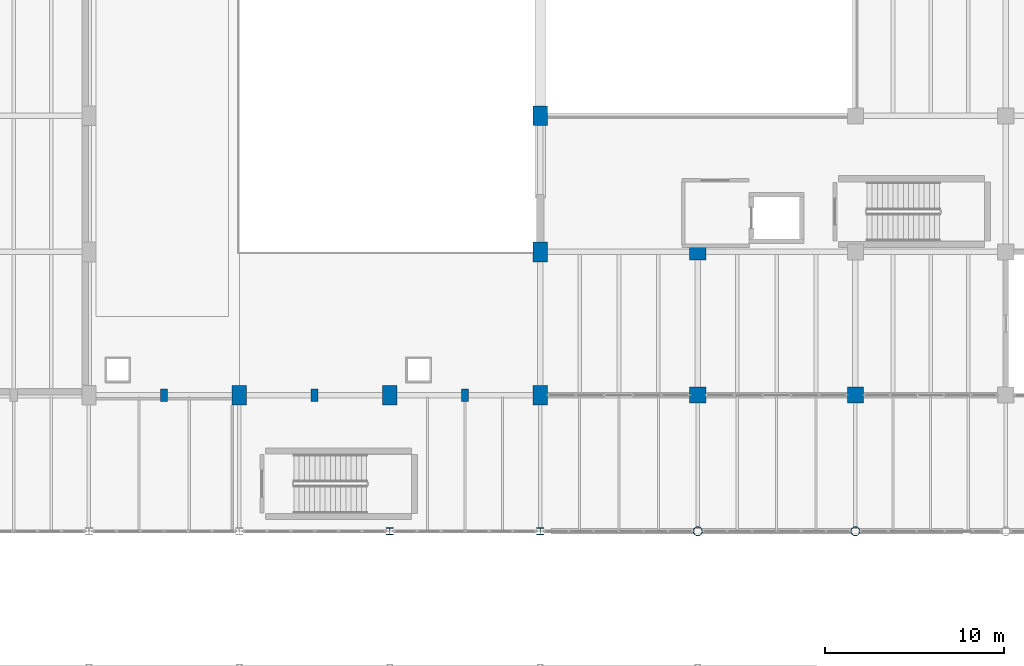
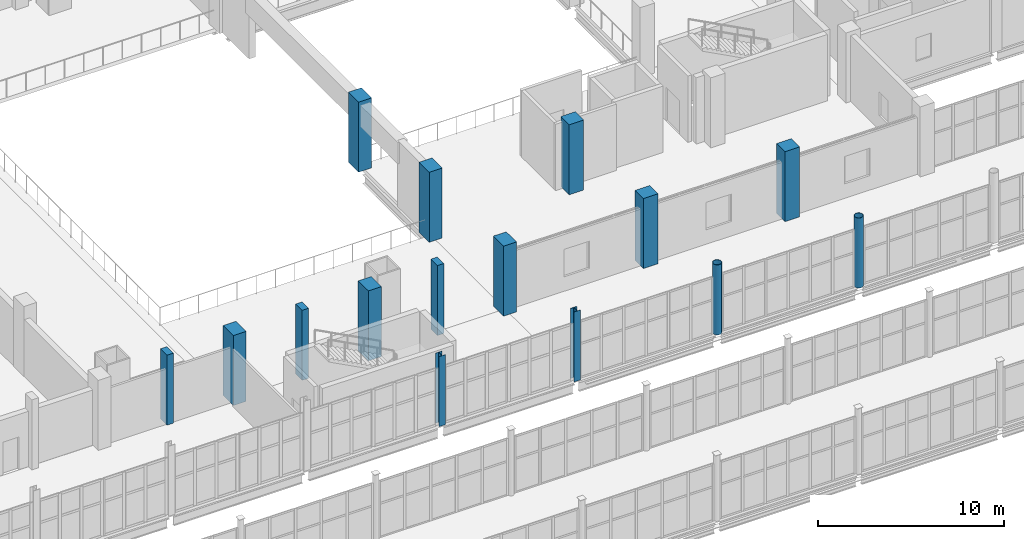
# One storey, part 9 of 172: 15 columns.
"""IFC4 building model written with IfcOpenShell, lengths in metres."""

import ifcopenshell
import ifcopenshell.guid

model = None  # the IFC model being written
_history = None  # IfcOwnerHistory: only IFC2X3 demands one
_inside = {}  # id of a spatial element -> (the spatial element, [elements in it])
_under = {}  # id of a project, library or spatial element -> (it, [spatial elements below it])
_declared = {}  # id of a project -> (the project, [libraries it declares])
_typed = {}  # id of a type object -> (the type object, [elements of that type])
_made_of = {}  # id of a material, layer set ... -> (it, [elements and type objects made of it])


def new_model(schema):
    """Start an empty IFC model of exactly this schema.

    Asked for "IFC4X3", IfcOpenShell would pick the latest addendum, in which some entities
    have other attributes; the version numbers below select the first issue.
    IFC2X3 requires an IfcOwnerHistory on every rooted entity: one is made here for all.
    """
    global model, _history
    if schema == "IFC4X3":
        model = ifcopenshell.file(schema_version=(4, 3, 0, 0))
    else:
        model = ifcopenshell.file(schema=schema)
    _inside.clear()
    _under.clear()
    _declared.clear()
    _typed.clear()
    _made_of.clear()
    _history = None
    if model.schema == "IFC2X3":
        org = make("IfcOrganization", Name="unknown")
        user = make(
            "IfcPersonAndOrganization",
            ThePerson=make("IfcPerson", FamilyName="unknown"),
            TheOrganization=org,
        )
        app = make(
            "IfcApplication",
            ApplicationDeveloper=org,
            Version="unknown",
            ApplicationFullName="unknown",
            ApplicationIdentifier="unknown",
        )
        _history = make(
            "IfcOwnerHistory",
            OwningUser=user,
            OwningApplication=app,
            ChangeAction="ADDED",
            CreationDate=0,
        )
    return model


def make(cls, **values):
    """One entity of the class cls with the attributes given. An attribute that is None is left unset."""
    return model.create_entity(
        cls, **{name: value for name, value in values.items() if value is not None}
    )


def rooted(cls, **values):
    """An entity with a GlobalId (a new one), such as an element, a storey or a relation."""
    return make(cls, GlobalId=ifcopenshell.guid.new(), OwnerHistory=_history, **values)


def si_unit(unit_type, name, prefix=None):
    """IfcSIUnit, for example si_unit("LENGTHUNIT", "METRE", prefix="MILLI")."""
    return make("IfcSIUnit", UnitType=unit_type, Prefix=prefix, Name=name)


def assignment(units):
    """IfcUnitAssignment: the units of a project."""
    return None if units is None else make("IfcUnitAssignment", Units=units)


def point(xyz):
    """IfcCartesianPoint."""
    return None if xyz is None else make("IfcCartesianPoint", Coordinates=xyz)


def direction(xyz):
    """IfcDirection."""
    return None if xyz is None else make("IfcDirection", DirectionRatios=xyz)


def frame(location, z_axis=None, x_axis=None):
    """IfcAxis2Placement3D, a coordinate frame: its origin and axes. An axis left out is left unset."""
    return make(
        "IfcAxis2Placement3D",
        Location=point(location),
        Axis=direction(z_axis),
        RefDirection=direction(x_axis),
    )


def frame_2d(location, x_axis=None):
    """IfcAxis2Placement2D, a coordinate frame in the plane: its origin and x axis."""
    return make(
        "IfcAxis2Placement2D", Location=point(location), RefDirection=direction(x_axis)
    )


def origin():
    """The frame at (0, 0, 0) with its axes left unset."""
    return frame((0.0, 0.0, 0.0))


def origin_2d():
    """The frame at (0, 0) in the plane with its x axis left unset."""
    return frame_2d((0.0, 0.0))


def place(relative_to, where):
    """IfcLocalPlacement: puts the frame where relative to a parent placement (None: the world)."""
    return make(
        "IfcLocalPlacement", PlacementRelTo=relative_to, RelativePlacement=where
    )


def context(
    kind, dimensions, precision=None, world=None, true_north=None, identifier=None
):
    """IfcGeometricRepresentationContext, for example the 3D "Model" context."""
    return make(
        "IfcGeometricRepresentationContext",
        ContextIdentifier=identifier,
        ContextType=kind,
        CoordinateSpaceDimension=dimensions,
        Precision=precision,
        WorldCoordinateSystem=world,
        TrueNorth=true_north,
    )


def subcontext(parent, identifier, kind, view, scale=None):
    """IfcGeometricRepresentationSubContext, for example "Body" below "Model"."""
    return make(
        "IfcGeometricRepresentationSubContext",
        ContextIdentifier=identifier,
        ContextType=kind,
        ParentContext=parent,
        TargetScale=scale,
        TargetView=view,
    )


def project(units=None, contexts=None):
    """IfcProject with its units and contexts."""
    return rooted(
        "IfcProject",
        Name="project",
        RepresentationContexts=contexts,
        UnitsInContext=assignment(units),
    )


def spatial(cls, under=None, at=None, **own):
    """A site, building, storey or space (cls), placed at a placement, below another one or the project."""
    s = rooted(cls, ObjectPlacement=at, **own)
    if under is not None:
        _under.setdefault(under.id(), (under, []))[1].append(s)
    return s


def profile(cls, at=None, kind="AREA", **sizes):
    """A parametric profile (cls). Its sizes go by their IFC names, for example OverallWidth=200.0."""
    return make(cls, ProfileType=kind, Position=at, **sizes)


def rectangle(**sizes):
    """IfcRectangleProfileDef."""
    return profile("IfcRectangleProfileDef", **sizes)


def hollow_circle(**sizes):
    """IfcCircleHollowProfileDef."""
    return profile("IfcCircleHollowProfileDef", **sizes)


def i_section(**sizes):
    """IfcIShapeProfileDef."""
    return profile("IfcIShapeProfileDef", **sizes)


def extrude(swept, where, along, depth):
    """IfcExtrudedAreaSolid: the profile swept, set in the frame where, extruded along a direction by depth."""
    return make(
        "IfcExtrudedAreaSolid",
        SweptArea=swept,
        Position=where,
        ExtrudedDirection=direction(along),
        Depth=depth,
    )


def shape(context_of_items, identifier, shape_type, items):
    """IfcShapeRepresentation: the items that make up one representation, for example the "Body"."""
    return make(
        "IfcShapeRepresentation",
        ContextOfItems=context_of_items,
        RepresentationIdentifier=identifier,
        RepresentationType=shape_type,
        Items=items,
    )


def material(Name=None, Category=None):
    """IfcMaterial."""
    return make("IfcMaterial", Name=Name, Category=Category)


def material_profile(
    of_material, cross_section, Name=None, Category=None, Priority=None
):
    """IfcMaterialProfile: a cross section and its material."""
    return make(
        "IfcMaterialProfile",
        Name=Name,
        Material=of_material,
        Profile=cross_section,
        Priority=Priority,
        Category=Category,
    )


def profile_set(profiles, Name=None, composite=None):
    """IfcMaterialProfileSet."""
    return make(
        "IfcMaterialProfileSet",
        Name=Name,
        MaterialProfiles=profiles,
        CompositeProfile=composite,
    )


def made_of(thing, what):
    """Note that an element or type object is made of a material, layer set ...; save() writes the relation."""
    if what is not None:
        _made_of.setdefault(what.id(), (what, []))[1].append(thing)
    return thing


def type_object(cls, material=None, **own):
    """A type object (cls), such as IfcWallType, which elements share."""
    return made_of(rooted(cls, **own), material)


def element(
    cls,
    number,
    at=None,
    inside=None,
    cuts=None,
    type_object=None,
    material=None,
    context=None,
    identifier="Body",
    shape_type=None,
    held_by="IfcProductDefinitionShape",
    body=None,
    shapes=None,
    **own,
):
    """One element of the class cls, such as IfcWall. Its Tag is "e" and its number.

    at: its placement. inside: the storey or other place that contains it. cuts: it is an
    opening in that element (IfcRelVoidsElement). A single representation is given by context,
    identifier, shape_type and body (its items); several are given by shapes. held_by: the class
    of the entity that holds the representations. save() writes the other relations.
    """
    e = rooted(cls, Tag="e%d" % number, ObjectPlacement=at, **own)
    if body is not None:
        shapes = [shape(context, identifier, shape_type, body)]
    if shapes is not None:
        e.Representation = make(held_by, Representations=shapes)
    if inside is not None:
        _inside.setdefault(inside.id(), (inside, []))[1].append(e)
    if cuts is not None:
        rooted(
            "IfcRelVoidsElement", RelatingBuildingElement=cuts, RelatedOpeningElement=e
        )
    if type_object is not None:
        _typed.setdefault(type_object.id(), (type_object, []))[1].append(e)
    return made_of(e, material)


def aggregate(whole, parts):
    """IfcRelAggregates: a whole, such as a stair, and the parts it consists of."""
    return rooted("IfcRelAggregates", RelatingObject=whole, RelatedObjects=parts)


def save(model, path):
    """Write the relations noted so far, then the file.

    IfcRelAggregates (storeys below a building ...), IfcRelContainedInSpatialStructure (elements
    in a storey), IfcRelDefinesByType, IfcRelAssociatesMaterial and IfcRelDeclares: one each for
    every whole, place, type object, material and project.
    """
    for whole, parts in _under.values():
        aggregate(whole, parts)
    for where, things in _inside.values():
        rooted(
            "IfcRelContainedInSpatialStructure",
            RelatedElements=things,
            RelatingStructure=where,
        )
    for kind, things in _typed.values():
        rooted("IfcRelDefinesByType", RelatedObjects=things, RelatingType=kind)
    for what, things in _made_of.values():
        rooted("IfcRelAssociatesMaterial", RelatedObjects=things, RelatingMaterial=what)
    for by, libraries in _declared.values():
        rooted("IfcRelDeclares", RelatingContext=by, RelatedDefinitions=libraries)
    model.write(path)


model = new_model("IFC4")

# Units and contexts
model_context = context("Model", 3, precision=1e-05, world=origin(), true_north=direction((0.0, 1.0)))
body_context = subcontext(model_context, "Body", "Model", "MODEL_VIEW")
ifc_project = project(units=[si_unit("LENGTHUNIT", "METRE"), si_unit("AREAUNIT", "SQUARE_METRE"), si_unit("VOLUMEUNIT", "CUBIC_METRE"), si_unit("PLANEANGLEUNIT", "RADIAN"), si_unit("MASSUNIT", "GRAM", prefix="KILO")], contexts=[model_context])

# Site, building, storey
site_placement = place(None, origin())
site = spatial("IfcSite", under=ifc_project, at=site_placement, CompositionType="ELEMENT")
building_placement = place(site_placement, origin())
building = spatial("IfcBuilding", under=site, at=building_placement, Name="Shengluoqiao Park Theatre", CompositionType="ELEMENT")
storey_placement = place(building_placement, frame((0.0, 0.0, 5.39990234375)))
storey = spatial("IfcBuildingStorey", under=building, at=storey_placement, Name="L01", CompositionType="ELEMENT", Elevation=5.39990234375)

# Columns
ifc_material_1 = material(Name="Steel Q390", Category="steel")
ifc_material_profile_1 = material_profile(ifc_material_1, hollow_circle(Radius=0.25390625, WallThickness=0.02001953125, at=origin_2d()), Name="CHS 508x20")
ifc_profile_set_1 = profile_set([ifc_material_profile_1], Name="Steel Q390")
column_type_1 = type_object("IfcColumnType", Name="STR-COL-C-CHS508", PredefinedType="COLUMN", material=ifc_profile_set_1)
for number, where, z_axis, x_axis, name in (
    (1, (95.199951171875, 68.39990234375, 0.0), (0.0, 0.0, 1.0), (1.0, 0.0, 0.0), "L01 Column 0462"),
    (2, (104.0, 68.39990234375, 0.0), (0.0, 0.0, 1.0), (1.0, 0.0, 0.0), "L01 Column 0496"),
):
    element("IfcColumn", number, at=place(storey_placement, frame(where, z_axis=z_axis, x_axis=x_axis)), inside=storey, type_object=column_type_1, Name=name, PredefinedType="COLUMN", context=body_context, shape_type="SweptSolid", body=[
        extrude(hollow_circle(Radius=0.25390625, WallThickness=0.02001953125, at=origin_2d()), origin(), (0.0, 0.0, 1.0), 4.60009765625),
    ])
ifc_material_2 = material(Name="Steel Q355", Category="steel")
ifc_material_profile_2 = material_profile(ifc_material_2, i_section(OverallWidth=0.39990234375, OverallDepth=0.39990234375, WebThickness=0.012939453125, FlangeThickness=0.02099609375, FilletRadius=0.02197265625, at=origin_2d()), Name="HW 400x400x13x21")
ifc_profile_set_2 = profile_set([ifc_material_profile_2], Name="Steel Q355")
column_type_2 = type_object("IfcColumnType", Name="STR-COL-C-HW400", PredefinedType="COLUMN", material=ifc_profile_set_2)
for number, where, z_axis, x_axis, name in (
    (3, (78.0, 68.39990234375, 0.0), (0.0, 0.0, 1.0), (1.0, 0.0, 0.0), "L01 Column 0388"),
    (4, (86.39990234375, 68.39990234375, 0.0), (0.0, 0.0, 1.0), (1.0, 0.0, 0.0), "L01 Column 0420"),
):
    element("IfcColumn", number, at=place(storey_placement, frame(where, z_axis=z_axis, x_axis=x_axis)), inside=storey, type_object=column_type_2, Name=name, PredefinedType="COLUMN", context=body_context, shape_type="SweptSolid", body=[
        extrude(i_section(OverallWidth=0.39990234375, OverallDepth=0.39990234375, WebThickness=0.012939453125, FlangeThickness=0.02099609375, FilletRadius=0.02197265625, at=origin_2d()), origin(), (0.0, 0.0, 1.0), 4.60009765625),
    ])
ifc_material_3 = material(Name="Concrete C50", Category="concrete")
ifc_material_profile_3 = material_profile(ifc_material_3, rectangle(XDim=0.39990234375, YDim=0.699951171875, at=origin_2d()), Name="RC PILASTER 400x700")
ifc_profile_set_3 = profile_set([ifc_material_profile_3], Name="Concrete C50")
column_type_3 = type_object("IfcColumnType", Name="STR-COL-C-PIL4070", PredefinedType="PILASTER", material=ifc_profile_set_3)
for number, where, z_axis, x_axis, name in (
    (5, (65.39990234375, 76.0, 0.0), (0.0, 0.0, 1.0), (1.0, 0.0, 0.0), "L01 Column 0343"),
    (6, (73.800048828125, 76.0, 0.0), (0.0, 0.0, 1.0), (1.0, 0.0, 0.0), "L01 Column 0375"),
    (7, (82.199951171875, 76.0, 0.0), (0.0, 0.0, 1.0), (1.0, 0.0, 0.0), "L01 Column 0407"),
):
    element("IfcColumn", number, at=place(storey_placement, frame(where, z_axis=z_axis, x_axis=x_axis)), inside=storey, type_object=column_type_3, Name=name, PredefinedType="PILASTER", context=body_context, shape_type="SweptSolid", body=[
        extrude(rectangle(XDim=0.39990234375, YDim=0.699951171875, at=origin_2d()), origin(), (0.0, 0.0, 1.0), 4.60009765625),
    ])
ifc_material_profile_4 = material_profile(ifc_material_3, rectangle(XDim=0.800048828125, YDim=1.10009765625, at=origin_2d()), Name="RC 800x1100")
ifc_profile_set_4 = profile_set([ifc_material_profile_4], Name="Concrete C50")
column_type_4 = type_object("IfcColumnType", Name="STR-COL-C-RC8011", PredefinedType="COLUMN", material=ifc_profile_set_4)
for number, where, z_axis, x_axis, name in (
    (8, (69.60009765625, 76.0, 0.0), (0.0, 0.0, 1.0), (1.0, 0.0, 0.0), "L01 Column 0361"),
    (9, (78.0, 76.0, 0.0), (0.0, 0.0, 1.0), (1.0, 0.0, 0.0), "L01 Column 0393"),
    (10, (86.39990234375, 76.0, 0.0), (0.0, 0.0, 1.0), (1.0, 0.0, 0.0), "L01 Column 0425"),
    (11, (86.39990234375, 84.0, 0.0), (0.0, 0.0, 1.0), (1.0, 0.0, 0.0), "L01 Column 0430"),
    (12, (86.39990234375, 91.60009765625, 0.0), (0.0, 0.0, 1.0), (1.0, 0.0, 0.0), "L01 Column 0437"),
):
    element("IfcColumn", number, at=place(storey_placement, frame(where, z_axis=z_axis, x_axis=x_axis)), inside=storey, type_object=column_type_4, Name=name, PredefinedType="COLUMN", context=body_context, shape_type="SweptSolid", body=[
        extrude(rectangle(XDim=0.800048828125, YDim=1.10009765625, at=origin_2d()), origin(), (0.0, 0.0, 1.0), 4.60009765625),
    ])
ifc_material_profile_5 = material_profile(ifc_material_3, rectangle(XDim=0.89990234375, YDim=0.89990234375, at=origin_2d()), Name="RC 900x900")
ifc_profile_set_5 = profile_set([ifc_material_profile_5], Name="Concrete C50")
column_type_5 = type_object("IfcColumnType", Name="STR-COL-C-RC900", PredefinedType="COLUMN", material=ifc_profile_set_5)
for number, where, z_axis, x_axis, name in (
    (13, (95.199951171875, 76.0, 0.0), (0.0, 0.0, 1.0), (1.0, 0.0, 0.0), "L01 Column 0466"),
    (14, (95.199951171875, 84.0, 0.0), (0.0, 0.0, 1.0), (1.0, 0.0, 0.0), "L01 Column 0470"),
    (15, (104.0, 76.0, 0.0), (0.0, 0.0, 1.0), (1.0, 0.0, 0.0), "L01 Column 0500"),
):
    element("IfcColumn", number, at=place(storey_placement, frame(where, z_axis=z_axis, x_axis=x_axis)), inside=storey, type_object=column_type_5, Name=name, PredefinedType="COLUMN", context=body_context, shape_type="SweptSolid", body=[
        extrude(rectangle(XDim=0.89990234375, YDim=0.89990234375, at=origin_2d()), origin(), (0.0, 0.0, 1.0), 4.60009765625),
    ])

save(model, "model.ifc")
